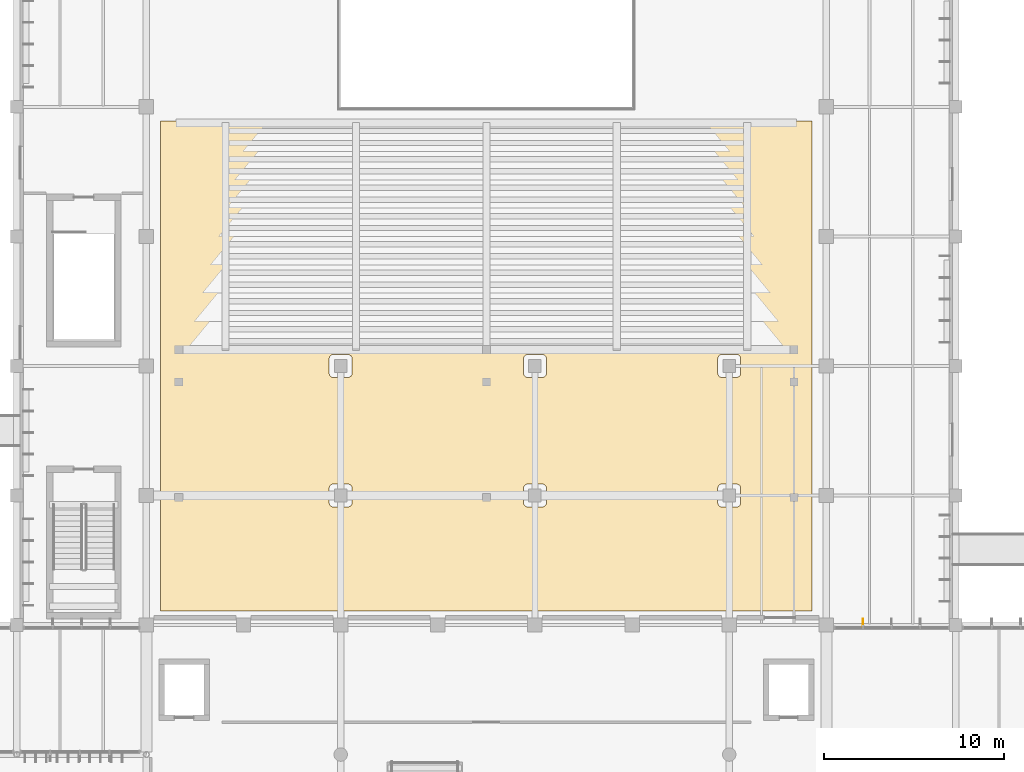
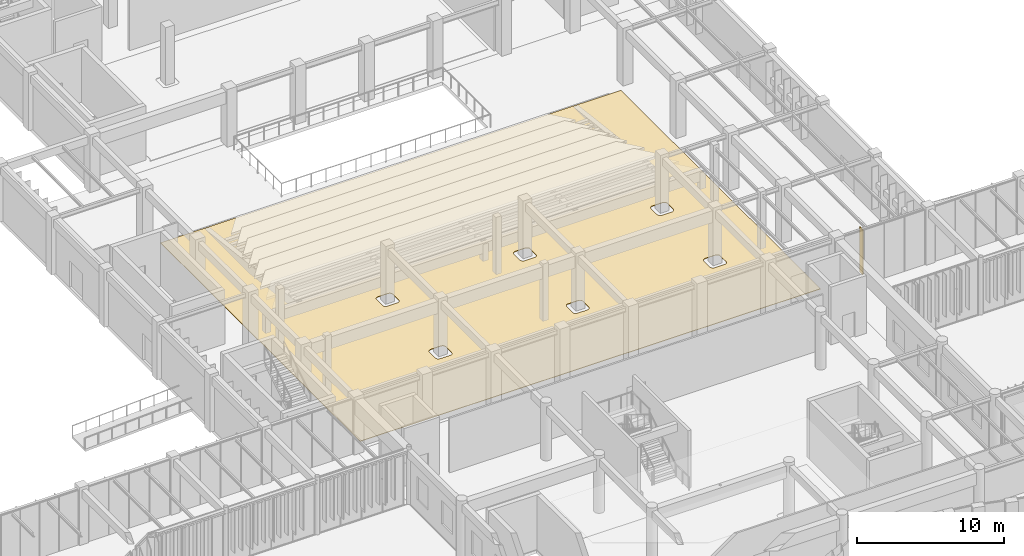
# One storey, part 113 of 122: 1 covering, 1 shading device.
"""IFC4 building model written with IfcOpenShell, lengths in metres."""

from ifc_helpers import new_model, si_unit, direction, frame, origin, origin_2d, place, context, subcontext, project, spatial, polyline, rectangle, outline, extrude, material, layer, layer_set, type_object, element, save


model = new_model("IFC4")

# Units and contexts
model_context = context("Model", 3, precision=1e-05, world=origin(), true_north=direction((0.0, 1.0)))
body_context = subcontext(model_context, "Body", "Model", "MODEL_VIEW")
ifc_project = project(units=[si_unit("LENGTHUNIT", "METRE"), si_unit("AREAUNIT", "SQUARE_METRE"), si_unit("VOLUMEUNIT", "CUBIC_METRE"), si_unit("PLANEANGLEUNIT", "RADIAN"), si_unit("MASSUNIT", "GRAM", prefix="KILO")], contexts=[model_context])

# Site, building, storey
site_placement = place(None, origin())
site = spatial("IfcSite", under=ifc_project, at=site_placement, CompositionType="ELEMENT")
building_placement = place(site_placement, origin())
building = spatial("IfcBuilding", under=site, at=building_placement, Name="Tazoul Stagehouse", CompositionType="ELEMENT")
storey_placement = place(building_placement, origin())
storey = spatial("IfcBuildingStorey", under=building, at=storey_placement, Name="L00", CompositionType="ELEMENT", Elevation=0.0)

# Shading device
ifc_material_1 = material(Name="Anodised Bronze Aluminium 6063-T6", Category="aluminium")
ifc_layer_1 = layer(ifc_material_1, 0.050048828125, Name="Anodised Bronze Aluminium 6063-T6")
ifc_layer_set_1 = layer_set([ifc_layer_1], Name="Anodised Bronze Aluminium 6063-T6")
shading_device_type = type_object("IfcShadingDeviceType", Name="Angled Acoustic Sun-Screen Blade 460", PredefinedType="USERDEFINED", material=ifc_layer_set_1)
shading_device_placement = place(storey_placement, frame((97.4375, 51.929931640625, 0.75), z_axis=(0.0, 0.0, 1.0), x_axis=(1.0, 0.0, 0.0)))
element("IfcShadingDevice", 1, at=shading_device_placement, inside=storey, type_object=shading_device_type, Name="Shading Louvre FIN-02 CW-ELNK-N-L00-B1-SHD01", ObjectType="FIN", PredefinedType="USERDEFINED", context=body_context, shape_type="SweptSolid", body=[
    extrude(rectangle(XDim=0.044921875, YDim=0.4599609375, at=origin_2d()), origin(), (0.0, 0.0, 1.0), 3.75),
])

# Covering
ifc_material_2 = material(Name="Acoustic Cedar Timber", Category="wood")
ifc_layer_2 = layer(ifc_material_2, 0.0400390625, Name="Acoustic Cedar Timber")
ifc_layer_set_2 = layer_set([ifc_layer_2], Name="Acoustic Cedar Timber")
covering_type = type_object("IfcCoveringType", Name="Atlas Cedar Sprung Stage & Hall Flooring 40", PredefinedType="FLOORING", material=ifc_layer_set_2)
covering_placement = place(storey_placement, origin())
element("IfcCovering", 2, at=covering_placement, inside=storey, type_object=covering_type, Name="L00 Main Proscenium Theatre Auditorium Flooring", PredefinedType="FLOORING", context=body_context, shape_type="SweptSolid", body=[
    extrude(outline(polyline([(94.610107421875, 79.81005859375), (94.610107421875, 52.590087890625), (58.389892578125, 52.590087890625), (58.389892578125, 79.81005859375), (94.610107421875, 79.81005859375)]), holes=[polyline([(90.638916015625, 59.41455078125), (90.63525390625, 59.438720703125), (90.629150390625, 59.462646484375), (90.62109375, 59.485595703125), (90.610595703125, 59.5078125), (90.597900390625, 59.52880859375), (90.583251953125, 59.548583984375), (90.56689453125, 59.56689453125), (90.548583984375, 59.583251953125), (90.52880859375, 59.597900390625), (90.5078125, 59.610595703125), (90.485595703125, 59.62109375), (90.462646484375, 59.629150390625), (90.438720703125, 59.63525390625), (90.41455078125, 59.638916015625), (90.389892578125, 59.639892578125), (89.610107421875, 59.639892578125), (89.58544921875, 59.638916015625), (89.561279296875, 59.63525390625), (89.537353515625, 59.629150390625), (89.514404296875, 59.62109375), (89.4921875, 59.610595703125), (89.47119140625, 59.597900390625), (89.451416015625, 59.583251953125), (89.43310546875, 59.56689453125), (89.416748046875, 59.548583984375), (89.402099609375, 59.52880859375), (89.389404296875, 59.5078125), (89.37890625, 59.485595703125), (89.370849609375, 59.462646484375), (89.36474609375, 59.438720703125), (89.361083984375, 59.41455078125), (89.360107421875, 59.389892578125), (89.360107421875, 58.610107421875), (89.361083984375, 58.58544921875), (89.36474609375, 58.561279296875), (89.370849609375, 58.537353515625), (89.37890625, 58.514404296875), (89.389404296875, 58.4921875), (89.402099609375, 58.47119140625), (89.416748046875, 58.451416015625), (89.43310546875, 58.43310546875), (89.451416015625, 58.416748046875), (89.47119140625, 58.402099609375), (89.4921875, 58.389404296875), (89.514404296875, 58.37890625), (89.537353515625, 58.370849609375), (89.561279296875, 58.36474609375), (89.58544921875, 58.361083984375), (89.610107421875, 58.360107421875), (90.389892578125, 58.360107421875), (90.41455078125, 58.361083984375), (90.438720703125, 58.36474609375), (90.462646484375, 58.370849609375), (90.485595703125, 58.37890625), (90.5078125, 58.389404296875), (90.52880859375, 58.402099609375), (90.548583984375, 58.416748046875), (90.56689453125, 58.43310546875), (90.583251953125, 58.451416015625), (90.597900390625, 58.47119140625), (90.610595703125, 58.4921875), (90.62109375, 58.514404296875), (90.629150390625, 58.537353515625), (90.63525390625, 58.561279296875), (90.638916015625, 58.58544921875), (90.639892578125, 58.610107421875), (90.639892578125, 59.389892578125), (90.638916015625, 59.41455078125)]), polyline([(90.638916015625, 66.614501953125), (90.63525390625, 66.638916015625), (90.629150390625, 66.66259765625), (90.62109375, 66.685791015625), (90.610595703125, 66.707763671875), (90.597900390625, 66.72900390625), (90.583251953125, 66.74853515625), (90.56689453125, 66.766845703125), (90.548583984375, 66.783203125), (90.52880859375, 66.7978515625), (90.5078125, 66.810546875), (90.485595703125, 66.821044921875), (90.462646484375, 66.8291015625), (90.438720703125, 66.835205078125), (90.41455078125, 66.8388671875), (90.389892578125, 66.840087890625), (89.610107421875, 66.840087890625), (89.58544921875, 66.8388671875), (89.561279296875, 66.835205078125), (89.537353515625, 66.8291015625), (89.514404296875, 66.821044921875), (89.4921875, 66.810546875), (89.47119140625, 66.7978515625), (89.451416015625, 66.783203125), (89.43310546875, 66.766845703125), (89.416748046875, 66.74853515625), (89.402099609375, 66.72900390625), (89.389404296875, 66.707763671875), (89.37890625, 66.685791015625), (89.370849609375, 66.66259765625), (89.36474609375, 66.638916015625), (89.361083984375, 66.614501953125), (89.360107421875, 66.590087890625), (89.360107421875, 65.81005859375), (89.361083984375, 65.785400390625), (89.36474609375, 65.76123046875), (89.370849609375, 65.7373046875), (89.37890625, 65.71435546875), (89.389404296875, 65.692138671875), (89.402099609375, 65.671142578125), (89.416748046875, 65.6513671875), (89.43310546875, 65.63330078125), (89.451416015625, 65.61669921875), (89.47119140625, 65.60205078125), (89.4921875, 65.589599609375), (89.514404296875, 65.5791015625), (89.537353515625, 65.57080078125), (89.561279296875, 65.564697265625), (89.58544921875, 65.561279296875), (89.610107421875, 65.56005859375), (90.389892578125, 65.56005859375), (90.41455078125, 65.561279296875), (90.438720703125, 65.564697265625), (90.462646484375, 65.57080078125), (90.485595703125, 65.5791015625), (90.5078125, 65.589599609375), (90.52880859375, 65.60205078125), (90.548583984375, 65.61669921875), (90.56689453125, 65.63330078125), (90.583251953125, 65.6513671875), (90.597900390625, 65.671142578125), (90.610595703125, 65.692138671875), (90.62109375, 65.71435546875), (90.629150390625, 65.7373046875), (90.63525390625, 65.76123046875), (90.638916015625, 65.785400390625), (90.639892578125, 65.81005859375), (90.639892578125, 66.590087890625), (90.638916015625, 66.614501953125)]), polyline([(79.8388671875, 59.41455078125), (79.835205078125, 59.438720703125), (79.8291015625, 59.462646484375), (79.821044921875, 59.485595703125), (79.810546875, 59.5078125), (79.7978515625, 59.52880859375), (79.783203125, 59.548583984375), (79.766845703125, 59.56689453125), (79.74853515625, 59.583251953125), (79.72900390625, 59.597900390625), (79.707763671875, 59.610595703125), (79.685791015625, 59.62109375), (79.66259765625, 59.629150390625), (79.638916015625, 59.63525390625), (79.614501953125, 59.638916015625), (79.590087890625, 59.639892578125), (78.81005859375, 59.639892578125), (78.785400390625, 59.638916015625), (78.76123046875, 59.63525390625), (78.7373046875, 59.629150390625), (78.71435546875, 59.62109375), (78.692138671875, 59.610595703125), (78.671142578125, 59.597900390625), (78.6513671875, 59.583251953125), (78.63330078125, 59.56689453125), (78.61669921875, 59.548583984375), (78.60205078125, 59.52880859375), (78.589599609375, 59.5078125), (78.5791015625, 59.485595703125), (78.57080078125, 59.462646484375), (78.564697265625, 59.438720703125), (78.561279296875, 59.41455078125), (78.56005859375, 59.389892578125), (78.56005859375, 58.610107421875), (78.561279296875, 58.58544921875), (78.564697265625, 58.561279296875), (78.57080078125, 58.537353515625), (78.5791015625, 58.514404296875), (78.589599609375, 58.4921875), (78.60205078125, 58.47119140625), (78.61669921875, 58.451416015625), (78.63330078125, 58.43310546875), (78.6513671875, 58.416748046875), (78.671142578125, 58.402099609375), (78.692138671875, 58.389404296875), (78.71435546875, 58.37890625), (78.7373046875, 58.370849609375), (78.76123046875, 58.36474609375), (78.785400390625, 58.361083984375), (78.81005859375, 58.360107421875), (79.590087890625, 58.360107421875), (79.614501953125, 58.361083984375), (79.638916015625, 58.36474609375), (79.66259765625, 58.370849609375), (79.685791015625, 58.37890625), (79.707763671875, 58.389404296875), (79.72900390625, 58.402099609375), (79.74853515625, 58.416748046875), (79.766845703125, 58.43310546875), (79.783203125, 58.451416015625), (79.7978515625, 58.47119140625), (79.810546875, 58.4921875), (79.821044921875, 58.514404296875), (79.8291015625, 58.537353515625), (79.835205078125, 58.561279296875), (79.8388671875, 58.58544921875), (79.840087890625, 58.610107421875), (79.840087890625, 59.389892578125), (79.8388671875, 59.41455078125)]), polyline([(79.8388671875, 66.614501953125), (79.835205078125, 66.638916015625), (79.8291015625, 66.66259765625), (79.821044921875, 66.685791015625), (79.810546875, 66.707763671875), (79.7978515625, 66.72900390625), (79.783203125, 66.74853515625), (79.766845703125, 66.766845703125), (79.74853515625, 66.783203125), (79.72900390625, 66.7978515625), (79.707763671875, 66.810546875), (79.685791015625, 66.821044921875), (79.66259765625, 66.8291015625), (79.638916015625, 66.835205078125), (79.614501953125, 66.8388671875), (79.590087890625, 66.840087890625), (78.81005859375, 66.840087890625), (78.785400390625, 66.8388671875), (78.76123046875, 66.835205078125), (78.7373046875, 66.8291015625), (78.71435546875, 66.821044921875), (78.692138671875, 66.810546875), (78.671142578125, 66.7978515625), (78.6513671875, 66.783203125), (78.63330078125, 66.766845703125), (78.61669921875, 66.74853515625), (78.60205078125, 66.72900390625), (78.589599609375, 66.707763671875), (78.5791015625, 66.685791015625), (78.57080078125, 66.66259765625), (78.564697265625, 66.638916015625), (78.561279296875, 66.614501953125), (78.56005859375, 66.590087890625), (78.56005859375, 65.81005859375), (78.561279296875, 65.785400390625), (78.564697265625, 65.76123046875), (78.57080078125, 65.7373046875), (78.5791015625, 65.71435546875), (78.589599609375, 65.692138671875), (78.60205078125, 65.671142578125), (78.61669921875, 65.6513671875), (78.63330078125, 65.63330078125), (78.6513671875, 65.61669921875), (78.671142578125, 65.60205078125), (78.692138671875, 65.589599609375), (78.71435546875, 65.5791015625), (78.7373046875, 65.57080078125), (78.76123046875, 65.564697265625), (78.785400390625, 65.561279296875), (78.81005859375, 65.56005859375), (79.590087890625, 65.56005859375), (79.614501953125, 65.561279296875), (79.638916015625, 65.564697265625), (79.66259765625, 65.57080078125), (79.685791015625, 65.5791015625), (79.707763671875, 65.589599609375), (79.72900390625, 65.60205078125), (79.74853515625, 65.61669921875), (79.766845703125, 65.63330078125), (79.783203125, 65.6513671875), (79.7978515625, 65.671142578125), (79.810546875, 65.692138671875), (79.821044921875, 65.71435546875), (79.8291015625, 65.7373046875), (79.835205078125, 65.76123046875), (79.8388671875, 65.785400390625), (79.840087890625, 65.81005859375), (79.840087890625, 66.590087890625), (79.8388671875, 66.614501953125)]), polyline([(69.038818359375, 59.41455078125), (69.03515625, 59.438720703125), (69.029296875, 59.462646484375), (69.02099609375, 59.485595703125), (69.010498046875, 59.5078125), (68.997802734375, 59.52880859375), (68.9833984375, 59.548583984375), (68.966796875, 59.56689453125), (68.948486328125, 59.583251953125), (68.928955078125, 59.597900390625), (68.90771484375, 59.610595703125), (68.8857421875, 59.62109375), (68.862548828125, 59.629150390625), (68.8388671875, 59.63525390625), (68.814453125, 59.638916015625), (68.7900390625, 59.639892578125), (68.010009765625, 59.639892578125), (67.985595703125, 59.638916015625), (67.961181640625, 59.63525390625), (67.9375, 59.629150390625), (67.914306640625, 59.62109375), (67.89208984375, 59.610595703125), (67.87109375, 59.597900390625), (67.851318359375, 59.583251953125), (67.833251953125, 59.56689453125), (67.816650390625, 59.548583984375), (67.802001953125, 59.52880859375), (67.78955078125, 59.5078125), (67.779052734375, 59.485595703125), (67.770751953125, 59.462646484375), (67.764892578125, 59.438720703125), (67.76123046875, 59.41455078125), (67.760009765625, 59.389892578125), (67.760009765625, 58.610107421875), (67.76123046875, 58.58544921875), (67.764892578125, 58.561279296875), (67.770751953125, 58.537353515625), (67.779052734375, 58.514404296875), (67.78955078125, 58.4921875), (67.802001953125, 58.47119140625), (67.816650390625, 58.451416015625), (67.833251953125, 58.43310546875), (67.851318359375, 58.416748046875), (67.87109375, 58.402099609375), (67.89208984375, 58.389404296875), (67.914306640625, 58.37890625), (67.9375, 58.370849609375), (67.961181640625, 58.36474609375), (67.985595703125, 58.361083984375), (68.010009765625, 58.360107421875), (68.7900390625, 58.360107421875), (68.814453125, 58.361083984375), (68.8388671875, 58.36474609375), (68.862548828125, 58.370849609375), (68.8857421875, 58.37890625), (68.90771484375, 58.389404296875), (68.928955078125, 58.402099609375), (68.948486328125, 58.416748046875), (68.966796875, 58.43310546875), (68.9833984375, 58.451416015625), (68.997802734375, 58.47119140625), (69.010498046875, 58.4921875), (69.02099609375, 58.514404296875), (69.029296875, 58.537353515625), (69.03515625, 58.561279296875), (69.038818359375, 58.58544921875), (69.0400390625, 58.610107421875), (69.0400390625, 59.389892578125), (69.038818359375, 59.41455078125)]), polyline([(69.038818359375, 66.614501953125), (69.03515625, 66.638916015625), (69.029296875, 66.66259765625), (69.02099609375, 66.685791015625), (69.010498046875, 66.707763671875), (68.997802734375, 66.72900390625), (68.9833984375, 66.74853515625), (68.966796875, 66.766845703125), (68.948486328125, 66.783203125), (68.928955078125, 66.7978515625), (68.90771484375, 66.810546875), (68.8857421875, 66.821044921875), (68.862548828125, 66.8291015625), (68.8388671875, 66.835205078125), (68.814453125, 66.8388671875), (68.7900390625, 66.840087890625), (68.010009765625, 66.840087890625), (67.985595703125, 66.8388671875), (67.961181640625, 66.835205078125), (67.9375, 66.8291015625), (67.914306640625, 66.821044921875), (67.89208984375, 66.810546875), (67.87109375, 66.7978515625), (67.851318359375, 66.783203125), (67.833251953125, 66.766845703125), (67.816650390625, 66.74853515625), (67.802001953125, 66.72900390625), (67.78955078125, 66.707763671875), (67.779052734375, 66.685791015625), (67.770751953125, 66.66259765625), (67.764892578125, 66.638916015625), (67.76123046875, 66.614501953125), (67.760009765625, 66.590087890625), (67.760009765625, 65.81005859375), (67.76123046875, 65.785400390625), (67.764892578125, 65.76123046875), (67.770751953125, 65.7373046875), (67.779052734375, 65.71435546875), (67.78955078125, 65.692138671875), (67.802001953125, 65.671142578125), (67.816650390625, 65.6513671875), (67.833251953125, 65.63330078125), (67.851318359375, 65.61669921875), (67.87109375, 65.60205078125), (67.89208984375, 65.589599609375), (67.914306640625, 65.5791015625), (67.9375, 65.57080078125), (67.961181640625, 65.564697265625), (67.985595703125, 65.561279296875), (68.010009765625, 65.56005859375), (68.7900390625, 65.56005859375), (68.814453125, 65.561279296875), (68.8388671875, 65.564697265625), (68.862548828125, 65.57080078125), (68.8857421875, 65.5791015625), (68.90771484375, 65.589599609375), (68.928955078125, 65.60205078125), (68.948486328125, 65.61669921875), (68.966796875, 65.63330078125), (68.9833984375, 65.6513671875), (68.997802734375, 65.671142578125), (69.010498046875, 65.692138671875), (69.02099609375, 65.71435546875), (69.029296875, 65.7373046875), (69.03515625, 65.76123046875), (69.038818359375, 65.785400390625), (69.0400390625, 65.81005859375), (69.0400390625, 66.590087890625), (69.038818359375, 66.614501953125)])]), origin(), (0.0, 0.0, 1.0), 0.0400390625),
])

save(model, "model.ifc")
